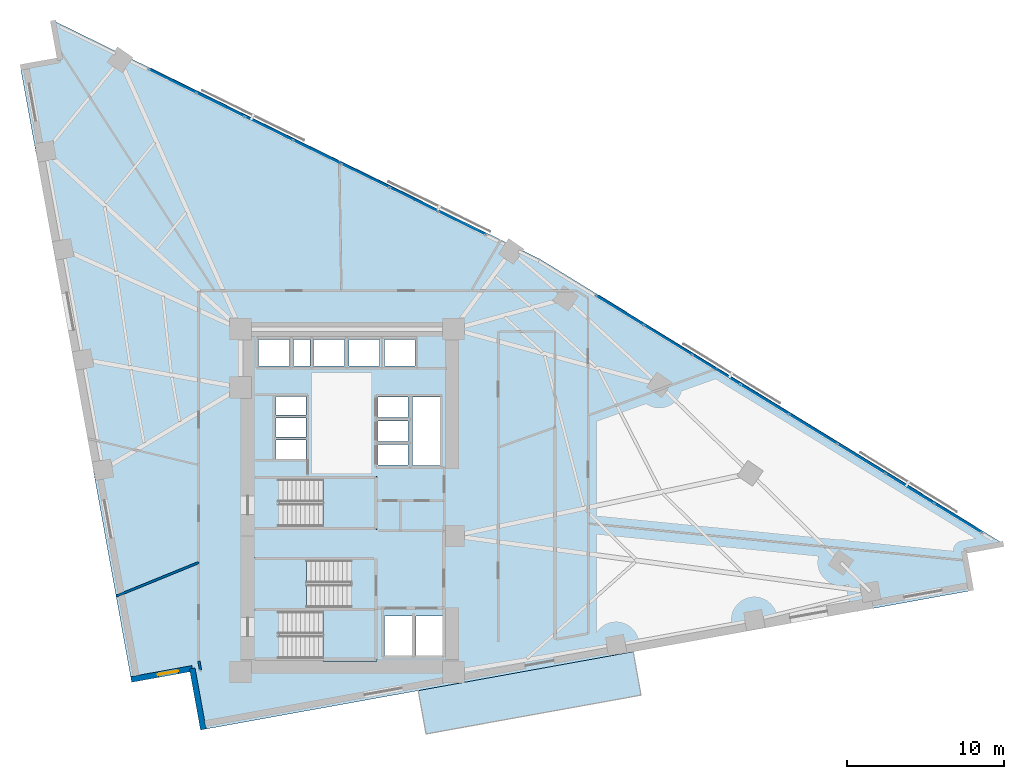
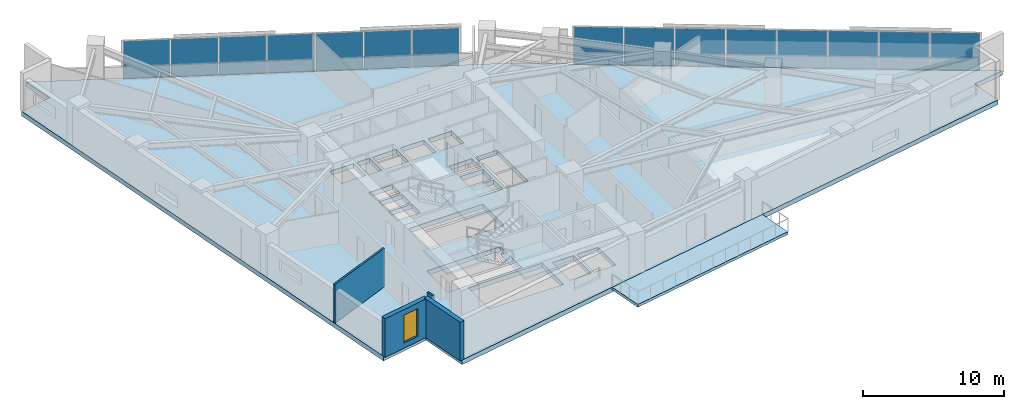
# One storey, part 12 of 18: 17 plates, 5 slabs, 4 walls, 1 window, 1 opening, 5 elements without a shape of their own.
"""IFC4 building model written with IfcOpenShell, lengths in metres."""

from ifc_helpers import new_model, si_unit, direction, frame, frame_2d, origin, origin_2d, place, context, subcontext, project, spatial, polyline, rectangle, outline, extrude, material, layer, layer_set, type_object, element, fill, aggregate, save


model = new_model("IFC4")

# Units and contexts
model_context = context("Model", 3, precision=1e-05, world=origin(), true_north=direction((0.0, 1.0)))
body_context = subcontext(model_context, "Body", "Model", "MODEL_VIEW")
ifc_project = project(units=[si_unit("LENGTHUNIT", "METRE"), si_unit("AREAUNIT", "SQUARE_METRE"), si_unit("VOLUMEUNIT", "CUBIC_METRE"), si_unit("PLANEANGLEUNIT", "RADIAN"), si_unit("MASSUNIT", "GRAM", prefix="KILO")], contexts=[model_context])

# Site, building, storey
site_placement = place(None, origin())
site = spatial("IfcSite", under=ifc_project, at=site_placement, CompositionType="ELEMENT")
building_placement = place(site_placement, origin())
building = spatial("IfcBuilding", under=site, at=building_placement, Name="Narakoshi Arena Tower", CompositionType="ELEMENT")
storey_placement = place(building_placement, frame((0.0, 0.0, 95.699951171875)))
storey = spatial("IfcBuildingStorey", under=building, at=storey_placement, Name="L25", CompositionType="ELEMENT", Elevation=95.699951171875)

# Curtain wall, plates
ifc_material_1 = material(Name="Anodised bronze aluminium 6063-T6", Category="aluminium")
curtain_wall_type = type_object("IfcCurtainWallType", Name="CW-HYP-LOW", PredefinedType="NOTDEFINED", material=ifc_material_1)
curtain_wall_1_placement = place(storey_placement, origin())
curtain_wall_1 = element("IfcCurtainWall", 1, at=curtain_wall_1_placement, inside=storey, type_object=curtain_wall_type, Name="L25 Folded Hypotenuse Curtain Wall 1-1", PredefinedType="NOTDEFINED")
ifc_material_2 = material(Name="Bronze-tinted low-E laminated glass", Category="glass")
ifc_layer_1 = layer(ifc_material_2, 0.031982421875)
ifc_layer_set_1 = layer_set([ifc_layer_1], Name="Bronze-tinted low-E laminated glass")
plate_type_1 = type_object("IfcPlateType", Name="PLT-GLZ-32", PredefinedType="CURTAIN_PANEL", material=ifc_layer_set_1)
plate_1_placement = place(storey_placement, frame((117.64013671875, 44.483642578125, 0.065185546875), z_axis=(0.0, 0.0, 1.0), x_axis=(-0.852113104237, 0.523357676535, 0.0)))
plate_1 = element("IfcPlate", 2, at=plate_1_placement, type_object=plate_type_1, Name="CW-01 panel 1.1", PredefinedType="CURTAIN_PANEL", context=body_context, shape_type="SweptSolid", body=[
    extrude(rectangle(XDim=3.498291015625, YDim=0.031982421875, at=origin_2d()), origin(), (0.0, 0.0, 1.0), 3.2099609375),
])
plate_2_placement = place(storey_placement, frame((114.5791015625, 46.36376953125, 0.065185546875), z_axis=(0.0, 0.0, 1.0), x_axis=(-0.852113104237, 0.523357676535, 0.0)))
plate_2 = element("IfcPlate", 3, at=plate_2_placement, type_object=plate_type_1, Name="CW-01 panel 2.1", PredefinedType="CURTAIN_PANEL", context=body_context, shape_type="SweptSolid", body=[
    extrude(rectangle(XDim=3.535888671875, YDim=0.031982421875, at=origin_2d()), origin(), (0.0, 0.0, 1.0), 3.2099609375),
])
plate_3_placement = place(storey_placement, frame((111.502197265625, 48.25341796875, 0.065185546875), z_axis=(0.0, 0.0, 1.0), x_axis=(-0.852113104237, 0.523357676535, 0.0)))
plate_3 = element("IfcPlate", 4, at=plate_3_placement, type_object=plate_type_1, Name="CW-01 panel 3.1", PredefinedType="CURTAIN_PANEL", context=body_context, shape_type="SweptSolid", body=[
    extrude(rectangle(XDim=3.535888671875, YDim=0.031982421875, at=origin_2d()), origin(), (0.0, 0.0, 1.0), 3.2099609375),
])
plate_4_placement = place(storey_placement, frame((108.42529296875, 50.143310546875, 0.065185546875), z_axis=(0.0, 0.0, 1.0), x_axis=(-0.852113104237, 0.523357676535, 0.0)))
plate_4 = element("IfcPlate", 5, at=plate_4_placement, type_object=plate_type_1, Name="CW-01 panel 4.1", PredefinedType="CURTAIN_PANEL", context=body_context, shape_type="SweptSolid", body=[
    extrude(rectangle(XDim=3.535888671875, YDim=0.031982421875, at=origin_2d()), origin(), (0.0, 0.0, 1.0), 3.2099609375),
])
plate_5_placement = place(storey_placement, frame((105.348388671875, 52.032958984375, 0.065185546875), z_axis=(0.0, 0.0, 1.0), x_axis=(-0.852113104237, 0.523357676535, 0.0)))
plate_5 = element("IfcPlate", 6, at=plate_5_placement, type_object=plate_type_1, Name="CW-01 panel 5.1", PredefinedType="CURTAIN_PANEL", context=body_context, shape_type="SweptSolid", body=[
    extrude(rectangle(XDim=3.535888671875, YDim=0.031982421875, at=origin_2d()), origin(), (0.0, 0.0, 1.0), 3.2099609375),
])
plate_6_placement = place(storey_placement, frame((102.271728515625, 53.9228515625, 0.065185546875), z_axis=(0.0, 0.0, 1.0), x_axis=(-0.852113104237, 0.523357676535, 0.0)))
plate_6 = element("IfcPlate", 7, at=plate_6_placement, type_object=plate_type_1, Name="CW-01 panel 6.1", PredefinedType="CURTAIN_PANEL", context=body_context, shape_type="SweptSolid", body=[
    extrude(rectangle(XDim=3.535888671875, YDim=0.031982421875, at=origin_2d()), origin(), (0.0, 0.0, 1.0), 3.2099609375),
])
plate_7_placement = place(storey_placement, frame((99.19482421875, 55.8125, 0.065185546875), z_axis=(0.0, 0.0, 1.0), x_axis=(-0.852113104237, 0.523357676535, 0.0)))
plate_7 = element("IfcPlate", 8, at=plate_7_placement, type_object=plate_type_1, Name="CW-01 panel 7.1", PredefinedType="CURTAIN_PANEL", context=body_context, shape_type="SweptSolid", body=[
    extrude(rectangle(XDim=3.535888671875, YDim=0.031982421875, at=origin_2d()), origin(), (0.0, 0.0, 1.0), 3.2099609375),
])
plate_8_placement = place(storey_placement, frame((96.1337890625, 57.692626953125, 0.065185546875), z_axis=(0.0, 0.0, 1.0), x_axis=(-0.852113104237, 0.523357676535, 0.0)))
plate_8 = element("IfcPlate", 9, at=plate_8_placement, type_object=plate_type_1, Name="CW-01 panel 8.1", PredefinedType="CURTAIN_PANEL", context=body_context, shape_type="SweptSolid", body=[
    extrude(rectangle(XDim=3.498291015625, YDim=0.031982421875, at=origin_2d()), origin(), (0.0, 0.0, 1.0), 3.2099609375),
])
aggregate(curtain_wall_1, [plate_1, plate_2, plate_3, plate_4, plate_5, plate_6, plate_7, plate_8])

curtain_wall_2_placement = place(storey_placement, origin())
curtain_wall_2 = element("IfcCurtainWall", 10, at=curtain_wall_2_placement, inside=storey, type_object=curtain_wall_type, Name="L25 Folded Hypotenuse Curtain Wall 2-1", PredefinedType="NOTDEFINED")
plate_9_placement = place(storey_placement, frame((86.0791015625, 63.259765625, 0.065185546875), z_axis=(0.0, 0.0, 1.0), x_axis=(-0.89799556291, 0.440004510198, 0.0)))
plate_9 = element("IfcPlate", 11, at=plate_9_placement, type_object=plate_type_1, Name="CW-01 panel 1.1", PredefinedType="CURTAIN_PANEL", context=body_context, shape_type="SweptSolid", body=[
    extrude(rectangle(XDim=3.309814453125, YDim=0.031982421875, at=origin_2d()), origin(), (0.0, 0.0, 1.0), 3.2099609375),
])
plate_10_placement = place(storey_placement, frame((83.022705078125, 64.75732421875, 0.065185546875), z_axis=(0.0, 0.0, 1.0), x_axis=(-0.89799556291, 0.440004510198, 0.0)))
plate_10 = element("IfcPlate", 12, at=plate_10_placement, type_object=plate_type_1, Name="CW-01 panel 2.1", PredefinedType="CURTAIN_PANEL", context=body_context, shape_type="SweptSolid", body=[
    extrude(rectangle(XDim=3.347412109375, YDim=0.031982421875, at=origin_2d()), origin(), (0.0, 0.0, 1.0), 3.2099609375),
])
plate_11_placement = place(storey_placement, frame((79.949462890625, 66.26318359375, 0.065185546875), z_axis=(0.0, 0.0, 1.0), x_axis=(-0.89799556291, 0.440004510198, 0.0)))
plate_11 = element("IfcPlate", 13, at=plate_11_placement, type_object=plate_type_1, Name="CW-01 panel 3.1", PredefinedType="CURTAIN_PANEL", context=body_context, shape_type="SweptSolid", body=[
    extrude(rectangle(XDim=3.347412109375, YDim=0.031982421875, at=origin_2d()), origin(), (0.0, 0.0, 1.0), 3.2099609375),
])
plate_12_placement = place(storey_placement, frame((76.8759765625, 67.76904296875, 0.065185546875), z_axis=(0.0, 0.0, 1.0), x_axis=(-0.89799556291, 0.440004510198, 0.0)))
plate_12 = element("IfcPlate", 14, at=plate_12_placement, type_object=plate_type_1, Name="CW-01 panel 4.1", PredefinedType="CURTAIN_PANEL", context=body_context, shape_type="SweptSolid", body=[
    extrude(rectangle(XDim=3.347412109375, YDim=0.031982421875, at=origin_2d()), origin(), (0.0, 0.0, 1.0), 3.2099609375),
])
plate_13_placement = place(storey_placement, frame((73.802734375, 69.27490234375, 0.065185546875), z_axis=(0.0, 0.0, 1.0), x_axis=(-0.89799556291, 0.440004510198, 0.0)))
plate_13 = element("IfcPlate", 15, at=plate_13_placement, type_object=plate_type_1, Name="CW-01 panel 5.1", PredefinedType="CURTAIN_PANEL", context=body_context, shape_type="SweptSolid", body=[
    extrude(rectangle(XDim=3.347412109375, YDim=0.031982421875, at=origin_2d()), origin(), (0.0, 0.0, 1.0), 3.2099609375),
])
plate_14_placement = place(storey_placement, frame((70.7294921875, 70.781005859375, 0.065185546875), z_axis=(0.0, 0.0, 1.0), x_axis=(-0.89799556291, 0.440004510198, 0.0)))
plate_14 = element("IfcPlate", 16, at=plate_14_placement, type_object=plate_type_1, Name="CW-01 panel 6.1", PredefinedType="CURTAIN_PANEL", context=body_context, shape_type="SweptSolid", body=[
    extrude(rectangle(XDim=3.347412109375, YDim=0.031982421875, at=origin_2d()), origin(), (0.0, 0.0, 1.0), 3.2099609375),
])
plate_15_placement = place(storey_placement, frame((67.673095703125, 72.278564453125, 0.065185546875), z_axis=(0.0, 0.0, 1.0), x_axis=(-0.89799556291, 0.440004510198, 0.0)))
plate_15 = element("IfcPlate", 17, at=plate_15_placement, type_object=plate_type_1, Name="CW-01 panel 7.1", PredefinedType="CURTAIN_PANEL", context=body_context, shape_type="SweptSolid", body=[
    extrude(rectangle(XDim=3.309814453125, YDim=0.031982421875, at=origin_2d()), origin(), (0.0, 0.0, 1.0), 3.2099609375),
])
aggregate(curtain_wall_2, [plate_9, plate_10, plate_11, plate_12, plate_13, plate_14, plate_15])

# Plates
ifc_layer_2 = layer(ifc_material_1, 0.090087890625)
ifc_layer_set_2 = layer_set([ifc_layer_2], Name="Anodised bronze aluminium 6063-T6")
plate_type_2 = type_object("IfcPlateType", Name="PLT-SPD-90", PredefinedType="SHEET", material=ifc_layer_set_2)
plate_16_placement = place(storey_placement, frame((106.737060546875, 51.274169921875, -0.369873046875), z_axis=(0.0, 0.0, 1.0), x_axis=(-0.852110807003, 0.523361416794, 0.0)))
element("IfcPlate", 18, at=plate_16_placement, inside=storey, type_object=plate_type_2, Name="L25 Transfer Fascia Bronze Spandrel Panel 1", PredefinedType="SHEET", context=body_context, shape_type="SweptSolid", body=[
    extrude(rectangle(XDim=28.13720703125, YDim=0.090087890625, at=origin_2d()), origin(), (0.0, 0.0, 1.0), 0.3798828125),
])
plate_17_placement = place(storey_placement, frame((74.90869140625, 68.822265625, -0.369873046875), z_axis=(0.0, 0.0, 1.0), x_axis=(-0.897996860024, 0.440001862936, 0.0)))
element("IfcPlate", 19, at=plate_17_placement, inside=storey, type_object=plate_type_2, Name="L25 Transfer Fascia Bronze Spandrel Panel 2", PredefinedType="SHEET", context=body_context, shape_type="SweptSolid", body=[
    extrude(rectangle(XDim=19.197021484375, YDim=0.090087890625, at=origin_2d()), origin(), (0.0, 0.0, 1.0), 0.3798828125),
])

# Slab
ifc_material_3 = material(Name="Concrete C45/55", Category="concrete")
ifc_layer_3 = layer(ifc_material_3, 0.39990234375)
ifc_layer_set_3 = layer_set([ifc_layer_3], Name="Concrete C45/55")
slab_type_1 = type_object("IfcSlabType", Name="SLB-CONC-400", PredefinedType="FLOOR", material=ifc_layer_set_3)
slab_1_placement = place(storey_placement, frame((0.0, 0.0, -0.39990234375)))
element("IfcSlab", 20, at=slab_1_placement, inside=storey, type_object=slab_type_1, Name="L25 Structural Floor Slab", PredefinedType="FLOOR", context=body_context, shape_type="SweptSolid", body=[
    extrude(outline(polyline([(69.626953125, 31.03271484375), (118.466796875, 39.8642578125), (118.01025390625, 42.3896484375), (120.535400390625, 42.84619140625), (91.034912109375, 60.965087890625), (60.066162109375, 76.139404296875), (60.522705078125, 73.614013671875), (57.99755859375, 73.157470703125), (65.039306640625, 34.215087890625), (68.92431640625, 34.91748046875), (69.626953125, 31.03271484375)]), holes=[polyline([(74.47998046875, 35.550048828125), (74.47998046875, 38.550048828125), (80.5, 38.550048828125), (80.5, 35.550048828125), (74.47998046875, 35.550048828125)]), polyline([(81.14990234375, 35.75), (81.14990234375, 38.25), (82.89990234375, 38.25), (82.89990234375, 35.75), (81.14990234375, 35.75)]), polyline([(83.14990234375, 35.75), (83.14990234375, 38.25), (84.89990234375, 38.25), (84.89990234375, 35.75), (83.14990234375, 35.75)]), polyline([(72.949951171875, 38.800048828125), (72.949951171875, 41.800048828125), (78.969970703125, 41.800048828125), (78.969970703125, 38.800048828125), (72.949951171875, 38.800048828125)]), polyline([(74.47998046875, 43.949951171875), (74.47998046875, 46.949951171875), (80.5, 46.949951171875), (80.5, 43.949951171875), (74.47998046875, 43.949951171875)]), polyline([(82.949951171875, 47.840087890625), (82.949951171875, 52.199951171875), (84.699951171875, 52.199951171875), (84.699951171875, 47.840087890625), (82.949951171875, 47.840087890625)]), polyline([(80.75, 47.85009765625), (80.75, 49.14990234375), (82.64990234375, 49.14990234375), (82.64990234375, 47.85009765625), (80.75, 47.85009765625)]), polyline([(74.25, 48.25), (74.25, 49.449951171875), (76.14990234375, 49.449951171875), (76.14990234375, 48.25), (74.25, 48.25)]), polyline([(80.75, 49.3701171875), (80.75, 50.669921875), (82.64990234375, 50.669921875), (82.64990234375, 49.3701171875), (80.75, 49.3701171875)]), polyline([(74.25, 49.64990234375), (74.25, 50.85009765625), (76.14990234375, 50.85009765625), (76.14990234375, 49.64990234375), (74.25, 49.64990234375)]), polyline([(80.75, 50.889892578125), (80.75, 52.18994140625), (82.64990234375, 52.18994140625), (82.64990234375, 50.889892578125), (80.75, 50.889892578125)]), polyline([(74.25, 51.050048828125), (74.25, 52.2099609375), (76.14990234375, 52.2099609375), (76.14990234375, 51.050048828125), (74.25, 51.050048828125)]), polyline([(73.14990234375, 54.14990234375), (73.14990234375, 55.85009765625), (75.10009765625, 55.85009765625), (75.10009765625, 54.14990234375), (73.14990234375, 54.14990234375)]), polyline([(75.35009765625, 54.14990234375), (75.35009765625, 55.85009765625), (76.39990234375, 55.85009765625), (76.39990234375, 54.14990234375), (75.35009765625, 54.14990234375)]), polyline([(76.64990234375, 54.14990234375), (76.64990234375, 55.85009765625), (78.60009765625, 55.85009765625), (78.60009765625, 54.14990234375), (76.64990234375, 54.14990234375)]), polyline([(78.89990234375, 55.85009765625), (80.85009765625, 55.85009765625), (80.85009765625, 54.14990234375), (78.89990234375, 54.14990234375), (78.89990234375, 55.85009765625)]), polyline([(81.14990234375, 55.85009765625), (83.10009765625, 55.85009765625), (83.10009765625, 54.14990234375), (81.14990234375, 54.14990234375), (81.14990234375, 55.85009765625)])]), origin(), (0.0, 0.0, 1.0), 0.39990234375),
])

# Stair, slab
stair_type = type_object("IfcStairType", Name="STR-CORE-360", PredefinedType="TWO_STRAIGHT_RUN_STAIR", material=ifc_material_3)
stair_1_placement = place(storey_placement, origin())
stair_1 = element("IfcStair", 21, at=stair_1_placement, inside=storey, type_object=stair_type, Name="L25 Core Escape Stair ST1", PredefinedType="TWO_STRAIGHT_RUN_STAIR")
ifc_layer_4 = layer(ifc_material_3, 0.18994140625)
ifc_layer_set_4 = layer_set([ifc_layer_4], Name="Concrete C45/55")
slab_type_2 = type_object("IfcSlabType", Name="SLB-LND-190", PredefinedType="LANDING", material=ifc_layer_set_4)
slab_2_placement = place(storey_placement, frame((0.0, 0.0, 1.610107421875)))
slab_2 = element("IfcSlab", 22, at=slab_2_placement, type_object=slab_type_2, Name="ST1 landing 1", PredefinedType="LANDING", context=body_context, shape_type="SweptSolid", body=[
    extrude(outline(polyline([(77.25, 35.3701171875), (80.679931640625, 35.3701171875), (80.679931640625, 38.72998046875), (77.25, 38.72998046875), (77.25, 35.3701171875)])), origin(), (0.0, 0.0, 1.0), 0.18994140625),
])
aggregate(stair_1, [slab_2])

stair_2_placement = place(storey_placement, origin())
stair_2 = element("IfcStair", 23, at=stair_2_placement, inside=storey, type_object=stair_type, Name="L25 Core Escape Stair ST2", PredefinedType="TWO_STRAIGHT_RUN_STAIR")
slab_3_placement = place(storey_placement, frame((0.0, 0.0, 1.610107421875)))
slab_3 = element("IfcSlab", 24, at=slab_3_placement, type_object=slab_type_2, Name="ST2 landing 1", PredefinedType="LANDING", context=body_context, shape_type="SweptSolid", body=[
    extrude(outline(polyline([(72.77001953125, 38.6201171875), (76.199951171875, 38.6201171875), (76.199951171875, 41.97998046875), (72.77001953125, 41.97998046875), (72.77001953125, 38.6201171875)])), origin(), (0.0, 0.0, 1.0), 0.18994140625),
])
aggregate(stair_2, [slab_3])

stair_3_placement = place(storey_placement, origin())
stair_3 = element("IfcStair", 25, at=stair_3_placement, inside=storey, type_object=stair_type, Name="L25 Core Escape Stair ST3", PredefinedType="TWO_STRAIGHT_RUN_STAIR")
slab_4_placement = place(storey_placement, frame((0.0, 0.0, 1.610107421875)))
slab_4 = element("IfcSlab", 26, at=slab_4_placement, type_object=slab_type_2, Name="ST3 landing 1", PredefinedType="LANDING", context=body_context, shape_type="SweptSolid", body=[
    extrude(outline(polyline([(77.25, 43.77001953125), (80.679931640625, 43.77001953125), (80.679931640625, 47.1298828125), (77.25, 47.1298828125), (77.25, 43.77001953125)])), origin(), (0.0, 0.0, 1.0), 0.18994140625),
])
aggregate(stair_3, [slab_4])

# Slab
ifc_layer_5 = layer(ifc_material_3, 0.239990234375)
ifc_layer_set_5 = layer_set([ifc_layer_5], Name="Concrete C45/55")
slab_type_3 = type_object("IfcSlabType", Name="SLB-TERR-240", PredefinedType="ROOF", material=ifc_layer_set_5)
slab_5_placement = place(storey_placement, frame((0.0, 0.0, -0.239990234375)))
element("IfcSlab", 27, at=slab_5_placement, inside=storey, type_object=slab_type_3, Name="L25 Walkable Setback Sky Terrace Slab", PredefinedType="ROOF", context=body_context, shape_type="SweptSolid", body=[
    extrude(outline(polyline([(83.302001953125, 33.505615234375), (83.80029296875, 30.750244140625), (97.4755859375, 33.222900390625), (96.977294921875, 35.978515625), (83.302001953125, 33.505615234375)])), origin(), (0.0, 0.0, 1.0), 0.239990234375),
])

# Wall, opening, window
ifc_material_4 = material(Name="Precast concrete C45/55", Category="concrete")
ifc_layer_6 = layer(ifc_material_4, 0.419921875)
ifc_layer_set_6 = layer_set([ifc_layer_6], Name="Precast concrete C45/55")
wall_type_1 = type_object("IfcWallType", Name="WL-POD-420", PredefinedType="SOLIDWALL", material=ifc_layer_set_6)
wall_1_placement = place(storey_placement, frame((65.039306640625, 34.215087890625, 0.0), z_axis=(0.0, 0.0, 1.0), x_axis=(0.984046535247, 0.177911260096, 0.0)))
wall_1 = element("IfcWall", 28, at=wall_1_placement, inside=storey, type_object=wall_type_1, Name="L25 Re-Entrant Corner Notch Wall NTA-1", PredefinedType="SOLIDWALL", context=body_context, shape_type="SweptSolid", body=[
    extrude(rectangle(XDim=3.947998046875, YDim=0.360107421875, at=frame_2d((1.97412109375, 0.0))), origin(), (0.0, 0.0, 1.0), 3.340087890625),
])
opening_placement = place(wall_1_placement, frame((1.73388671875, 0.0, 0.449951171875)))
opening = element("IfcOpeningElement", 29, at=opening_placement, cuts=wall_1, Name="Opening WN-06", PredefinedType="OPENING", context=body_context, shape_type="SweptSolid", body=[
    extrude(rectangle(XDim=1.300048828125, YDim=2.39990234375, at=frame_2d((0.64990234375, 1.199951171875))), frame((0.0, 0.18994140625, 0.0), z_axis=(0.0, -1.0, 0.0), x_axis=(1.0, 0.0, 0.0)), (0.0, 0.0, 1.0), 0.380126953125),
])
window_type = type_object("IfcWindowType", Name="WIN-NTC-16x24", PartitioningType="SINGLE_PANEL", PredefinedType="WINDOW", material=ifc_material_2)
window_placement = place(opening_placement, origin())
window = element("IfcWindow", 30, at=window_placement, inside=storey, type_object=window_type, Name="L25 Corner Notch Window NTA", OverallHeight=2.39990234375, OverallWidth=1.300048828125, PartitioningType="SINGLE_PANEL", PredefinedType="WINDOW", context=body_context, shape_type="SweptSolid", body=[
    extrude(rectangle(XDim=1.300048828125, YDim=2.39990234375, at=frame_2d((0.64990234375, 1.199951171875))), frame((0.0, 0.030029296875, 0.0), z_axis=(0.0, -1.0, 0.0), x_axis=(1.0, 0.0, 0.0)), (0.0, 0.0, 1.0), 0.06005859375),
])
fill(opening, window)

# Walls
wall_2_placement = place(storey_placement, frame((68.92431640625, 34.91748046875, 0.0), z_axis=(0.0, 0.0, 1.0), x_axis=(0.177981971326, -0.984033748346, 0.0)))
element("IfcWall", 31, at=wall_2_placement, inside=storey, type_object=wall_type_1, Name="L25 Re-Entrant Corner Notch Wall NTA-2", PredefinedType="SOLIDWALL", context=body_context, shape_type="SweptSolid", body=[
    extrude(rectangle(XDim=3.94775390625, YDim=0.360107421875, at=frame_2d((1.973876953125, 0.0))), origin(), (0.0, 0.0, 1.0), 3.340087890625),
])
ifc_material_5 = material(Name="Moisture-resistant cement-board partition")
ifc_layer_7 = layer(ifc_material_5, 0.14501953125)
ifc_layer_set_7 = layer_set([ifc_layer_7], Name="Moisture-resistant cement-board partition")
wall_type_2 = type_object("IfcWallType", Name="WL-WET-145", PredefinedType="PARTITIONING", material=ifc_layer_set_7)
wall_3_placement = place(storey_placement, frame((69.344970703125, 41.659423828125, 0.0), z_axis=(0.0, 0.0, 1.0), x_axis=(-0.926175162965, -0.377093579244, 0.0)))
element("IfcWall", 32, at=wall_3_placement, inside=storey, type_object=wall_type_2, Name="L25 Inter-Room Partition 01-02", PredefinedType="PARTITIONING", context=body_context, shape_type="SweptSolid", body=[
    extrude(rectangle(XDim=5.683837890625, YDim=0.14501953125, at=frame_2d((2.841796875, 0.0))), origin(), (0.0, 0.0, 1.0), 3.340087890625),
])
wall_4_placement = place(storey_placement, frame((69.344970703125, 35.401611328125, 0.0), z_axis=(0.0, 0.0, 1.0), x_axis=(0.177808691313, -0.984065073709, 0.0)))
element("IfcWall", 33, at=wall_4_placement, inside=storey, type_object=wall_type_2, Name="L25 Corridor Partition 02-2", PredefinedType="PARTITIONING", context=body_context, shape_type="SweptSolid", body=[
    extrude(rectangle(XDim=0.5986328125, YDim=0.14501953125, at=frame_2d((0.29931640625, 0.0))), origin(), (0.0, 0.0, 1.0), 3.340087890625),
])

save(model, "model.ifc")
